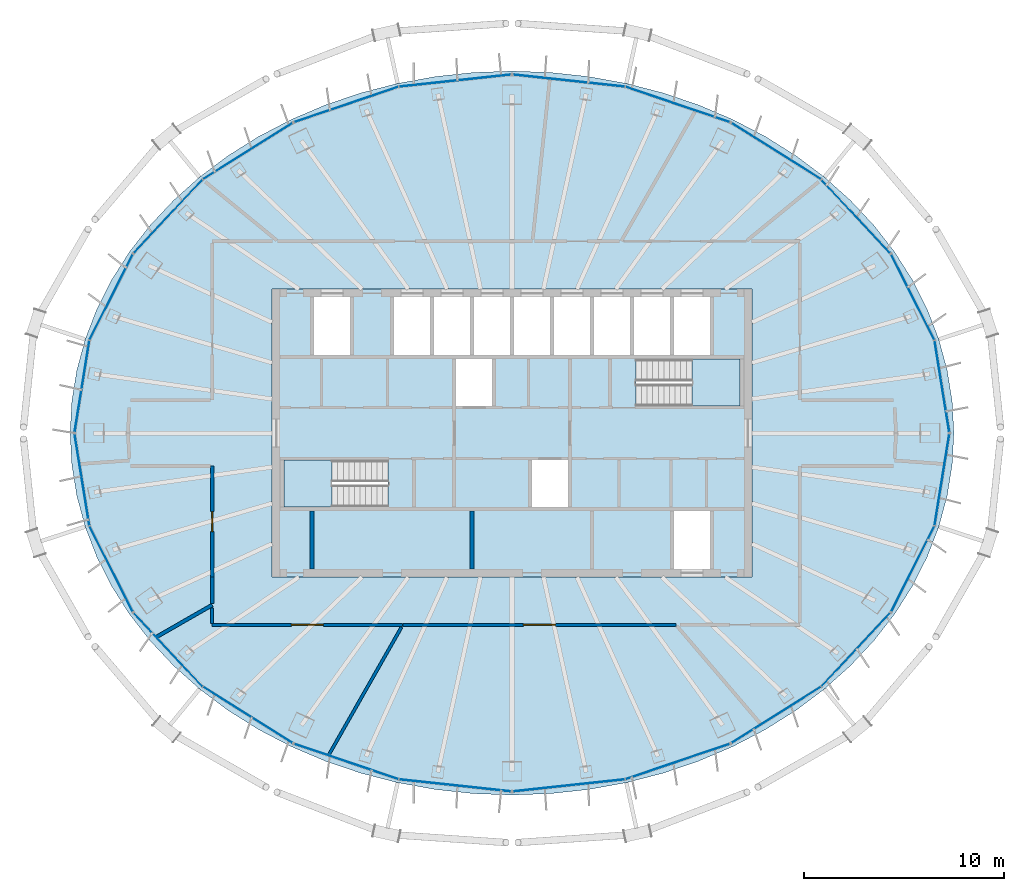
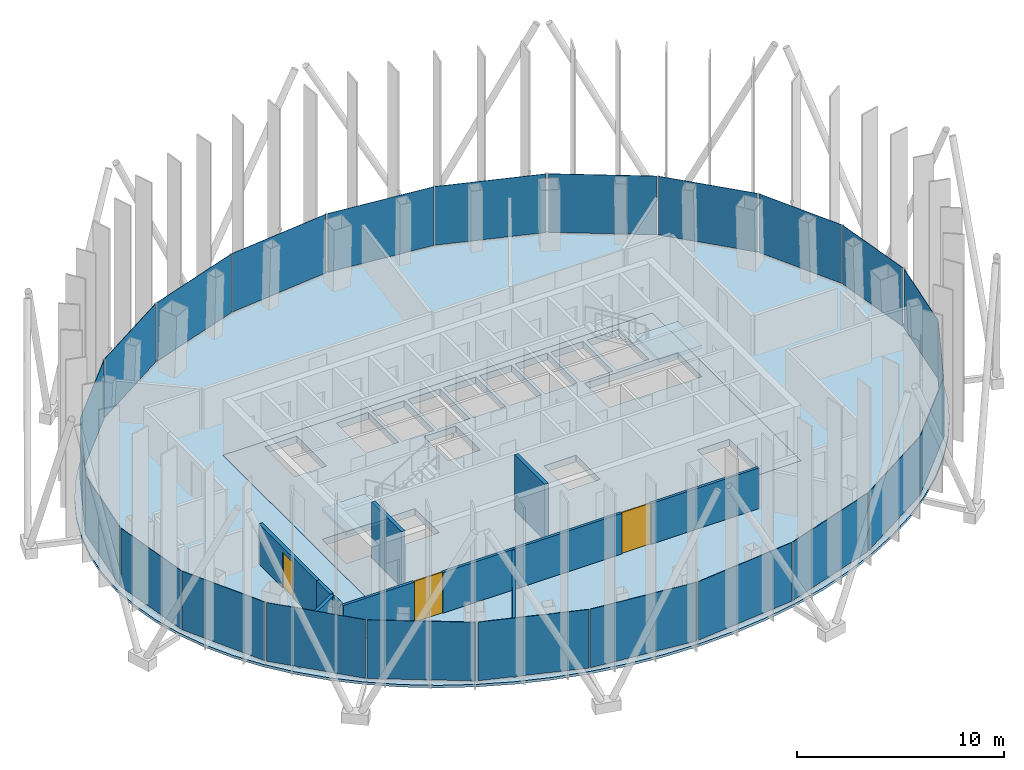
# One storey, part 9 of 19: 24 plates, 9 walls, 4 slabs, 3 doors, 3 openings, 14 elements without a shape of their own.
"""IFC4 building model written with IfcOpenShell, lengths in metres."""

from ifc_helpers import new_model, si_unit, direction, frame, frame_2d, origin, origin_2d, place, context, subcontext, project, spatial, polyline, rectangle, outline, extrude, material, layer, layer_set, type_object, element, fill, aggregate, save


model = new_model("IFC4")

# Units and contexts
model_context = context("Model", 3, precision=1e-05, world=origin(), true_north=direction((0.0, 1.0)))
body_context = subcontext(model_context, "Body", "Model", "MODEL_VIEW")
ifc_project = project(units=[si_unit("LENGTHUNIT", "METRE"), si_unit("AREAUNIT", "SQUARE_METRE"), si_unit("VOLUMEUNIT", "CUBIC_METRE"), si_unit("PLANEANGLEUNIT", "RADIAN"), si_unit("MASSUNIT", "GRAM", prefix="KILO")], contexts=[model_context])

# Site, building, storey
site_placement = place(None, origin())
site = spatial("IfcSite", under=ifc_project, at=site_placement, CompositionType="ELEMENT")
building_placement = place(site_placement, origin())
building = spatial("IfcBuilding", under=site, at=building_placement, Name="Siaravel Broadcast Tower", CompositionType="ELEMENT")
storey_placement = place(building_placement, frame((0.0, 0.0, 217.10009765625)))
storey = spatial("IfcBuildingStorey", under=building, at=storey_placement, Name="L52", CompositionType="ELEMENT", Elevation=217.10009765625)

# Curtain wall, plates
ifc_material_1 = material(Name="Aluminium 6063-T6", Category="aluminium")
ifc_layer_1 = layer(ifc_material_1, 0.159912109375)
ifc_layer_set_1 = layer_set([ifc_layer_1], Name="Aluminium 6063-T6")
curtain_wall_type = type_object("IfcCurtainWallType", Name="Unitised curtain wall, zone 4", PredefinedType="NOTDEFINED", material=ifc_layer_set_1)
curtain_wall_1_placement = place(storey_placement, origin())
curtain_wall_1 = element("IfcCurtainWall", 1, at=curtain_wall_1_placement, inside=storey, type_object=curtain_wall_type, Name="L52 Unitised curtain wall, zone 4 01", PredefinedType="NOTDEFINED")
ifc_material_2 = material(Name="Tinted insulated glass", Category="glass")
ifc_layer_2 = layer(ifc_material_2, 0.02587890625)
ifc_layer_set_2 = layer_set([ifc_layer_2], Name="Tinted insulated glass")
plate_type = type_object("IfcPlateType", Name="CW-Z4 glass panel", PredefinedType="CURTAIN_PANEL", material=ifc_layer_set_2)
plate_1_placement = place(storey_placement, frame((21.5107421875, 2.3359375, 0.08984375), z_axis=(0.0, 0.0, 1.0), x_axis=(-0.158684943, 0.987329271, 0.0)))
plate_1 = element("IfcPlate", 2, at=plate_1_placement, type_object=plate_type, Name="CW-Z4 glass panel", PredefinedType="CURTAIN_PANEL", context=body_context, shape_type="SweptSolid", body=[
    extrude(rectangle(XDim=4.6220703125, YDim=0.02587890625, at=origin_2d()), origin(), (0.0, 0.0, 1.0), 3.4599609375),
])
plate_2_placement = place(storey_placement, frame((20.0517578125, 6.796142578125, 0.08984375), z_axis=(0.0, 0.0, 1.0), x_axis=(-0.451259701, 0.892392673, 0.0)))
plate_2 = element("IfcPlate", 3, at=plate_2_placement, type_object=plate_type, Name="CW-Z4 glass panel", PredefinedType="CURTAIN_PANEL", context=body_context, shape_type="SweptSolid", body=[
    extrude(rectangle(XDim=4.766357421875, YDim=0.02587890625, at=origin_2d()), origin(), (0.0, 0.0, 1.0), 3.4599609375),
])
aggregate(curtain_wall_1, [plate_1, plate_2])

curtain_wall_2_placement = place(storey_placement, origin())
curtain_wall_2 = element("IfcCurtainWall", 4, at=curtain_wall_2_placement, inside=storey, type_object=curtain_wall_type, Name="L52 Unitised curtain wall, zone 4 02", PredefinedType="NOTDEFINED")
plate_3_placement = place(storey_placement, frame((17.202392578125, 10.839111328125, 0.08984375), z_axis=(0.0, 0.0, 1.0), x_axis=(-0.68365411, 0.729806178, 0.0)))
plate_3 = element("IfcPlate", 5, at=plate_3_placement, type_object=plate_type, Name="CW-Z4 glass panel", PredefinedType="CURTAIN_PANEL", context=body_context, shape_type="SweptSolid", body=[
    extrude(rectangle(XDim=5.0068359375, YDim=0.02587890625, at=origin_2d()), origin(), (0.0, 0.0, 1.0), 3.4599609375),
])
plate_4_placement = place(storey_placement, frame((13.217529296875, 14.103515625, 0.08984375), z_axis=(0.0, 0.0, 1.0), x_axis=(-0.84665001, 0.53215013, 0.0)))
plate_4 = element("IfcPlate", 6, at=plate_4_placement, type_object=plate_type, Name="CW-Z4 glass panel", PredefinedType="CURTAIN_PANEL", context=body_context, shape_type="SweptSolid", body=[
    extrude(rectangle(XDim=5.271240234375, YDim=0.02587890625, at=origin_2d()), origin(), (0.0, 0.0, 1.0), 3.4599609375),
])
aggregate(curtain_wall_2, [plate_3, plate_4])

curtain_wall_3_placement = place(storey_placement, origin())
curtain_wall_3 = element("IfcCurtainWall", 7, at=curtain_wall_3_placement, inside=storey, type_object=curtain_wall_type, Name="L52 Unitised curtain wall, zone 4 03", PredefinedType="NOTDEFINED")
plate_5_placement = place(storey_placement, frame((8.287841796875, 16.434814453125, 0.08984375), z_axis=(0.0, 0.0, 1.0), x_axis=(-0.946977039, 0.321301242, 0.0)))
plate_5 = element("IfcPlate", 8, at=plate_5_placement, type_object=plate_type, Name="CW-Z4 glass panel", PredefinedType="CURTAIN_PANEL", context=body_context, shape_type="SweptSolid", body=[
    extrude(rectangle(XDim=5.489990234375, YDim=0.02587890625, at=origin_2d()), origin(), (0.0, 0.0, 1.0), 3.4599609375),
])
plate_6_placement = place(storey_placement, frame((2.8447265625, 17.62939453125, 0.08984375), z_axis=(0.0, 0.0, 1.0), x_axis=(-0.994235568, 0.107217705, 0.0)))
plate_6 = element("IfcPlate", 9, at=plate_6_placement, type_object=plate_type, Name="CW-Z4 glass panel", PredefinedType="CURTAIN_PANEL", context=body_context, shape_type="SweptSolid", body=[
    extrude(rectangle(XDim=5.61279296875, YDim=0.02587890625, at=origin_2d()), origin(), (0.0, 0.0, 1.0), 3.4599609375),
])
aggregate(curtain_wall_3, [plate_5, plate_6])

curtain_wall_4_placement = place(storey_placement, origin())
curtain_wall_4 = element("IfcCurtainWall", 10, at=curtain_wall_4_placement, inside=storey, type_object=curtain_wall_type, Name="L52 Unitised curtain wall, zone 4 04", PredefinedType="NOTDEFINED")
plate_7_placement = place(storey_placement, frame((-2.8447265625, 17.62939453125, 0.08984375), z_axis=(0.0, 0.0, 1.0), x_axis=(-0.994235568, -0.107217705, 0.0)))
plate_7 = element("IfcPlate", 11, at=plate_7_placement, type_object=plate_type, Name="CW-Z4 glass panel", PredefinedType="CURTAIN_PANEL", context=body_context, shape_type="SweptSolid", body=[
    extrude(rectangle(XDim=5.61279296875, YDim=0.02587890625, at=origin_2d()), origin(), (0.0, 0.0, 1.0), 3.4599609375),
])
plate_8_placement = place(storey_placement, frame((-8.287841796875, 16.434814453125, 0.08984375), z_axis=(0.0, 0.0, 1.0), x_axis=(-0.946977039, -0.321301242, 0.0)))
plate_8 = element("IfcPlate", 12, at=plate_8_placement, type_object=plate_type, Name="CW-Z4 glass panel", PredefinedType="CURTAIN_PANEL", context=body_context, shape_type="SweptSolid", body=[
    extrude(rectangle(XDim=5.489990234375, YDim=0.02587890625, at=origin_2d()), origin(), (0.0, 0.0, 1.0), 3.4599609375),
])
aggregate(curtain_wall_4, [plate_7, plate_8])

curtain_wall_5_placement = place(storey_placement, origin())
curtain_wall_5 = element("IfcCurtainWall", 13, at=curtain_wall_5_placement, inside=storey, type_object=curtain_wall_type, Name="L52 Unitised curtain wall, zone 4 05", PredefinedType="NOTDEFINED")
plate_9_placement = place(storey_placement, frame((-13.217529296875, 14.103515625, 0.08984375), z_axis=(0.0, 0.0, 1.0), x_axis=(-0.84665001, -0.53215013, 0.0)))
plate_9 = element("IfcPlate", 14, at=plate_9_placement, type_object=plate_type, Name="CW-Z4 glass panel", PredefinedType="CURTAIN_PANEL", context=body_context, shape_type="SweptSolid", body=[
    extrude(rectangle(XDim=5.271240234375, YDim=0.02587890625, at=origin_2d()), origin(), (0.0, 0.0, 1.0), 3.4599609375),
])
plate_10_placement = place(storey_placement, frame((-17.202392578125, 10.839111328125, 0.08984375), z_axis=(0.0, 0.0, 1.0), x_axis=(-0.68365411, -0.729806178, 0.0)))
plate_10 = element("IfcPlate", 15, at=plate_10_placement, type_object=plate_type, Name="CW-Z4 glass panel", PredefinedType="CURTAIN_PANEL", context=body_context, shape_type="SweptSolid", body=[
    extrude(rectangle(XDim=5.0068359375, YDim=0.02587890625, at=origin_2d()), origin(), (0.0, 0.0, 1.0), 3.4599609375),
])
aggregate(curtain_wall_5, [plate_9, plate_10])

curtain_wall_6_placement = place(storey_placement, origin())
curtain_wall_6 = element("IfcCurtainWall", 16, at=curtain_wall_6_placement, inside=storey, type_object=curtain_wall_type, Name="L52 Unitised curtain wall, zone 4 06", PredefinedType="NOTDEFINED")
plate_11_placement = place(storey_placement, frame((-20.0517578125, 6.796142578125, 0.08984375), z_axis=(0.0, 0.0, 1.0), x_axis=(-0.451259701, -0.892392673, 0.0)))
plate_11 = element("IfcPlate", 17, at=plate_11_placement, type_object=plate_type, Name="CW-Z4 glass panel", PredefinedType="CURTAIN_PANEL", context=body_context, shape_type="SweptSolid", body=[
    extrude(rectangle(XDim=4.766357421875, YDim=0.02587890625, at=origin_2d()), origin(), (0.0, 0.0, 1.0), 3.4599609375),
])
plate_12_placement = place(storey_placement, frame((-21.5107421875, 2.3359375, 0.08984375), z_axis=(0.0, 0.0, 1.0), x_axis=(-0.158684943, -0.987329271, 0.0)))
plate_12 = element("IfcPlate", 18, at=plate_12_placement, type_object=plate_type, Name="CW-Z4 glass panel", PredefinedType="CURTAIN_PANEL", context=body_context, shape_type="SweptSolid", body=[
    extrude(rectangle(XDim=4.6220703125, YDim=0.02587890625, at=origin_2d()), origin(), (0.0, 0.0, 1.0), 3.4599609375),
])
aggregate(curtain_wall_6, [plate_11, plate_12])

curtain_wall_7_placement = place(storey_placement, origin())
curtain_wall_7 = element("IfcCurtainWall", 19, at=curtain_wall_7_placement, inside=storey, type_object=curtain_wall_type, Name="L52 Unitised curtain wall, zone 4 07", PredefinedType="NOTDEFINED")
plate_13_placement = place(storey_placement, frame((-21.5107421875, -2.3359375, 0.08984375), z_axis=(0.0, 0.0, 1.0), x_axis=(0.158684943, -0.987329271, 0.0)))
plate_13 = element("IfcPlate", 20, at=plate_13_placement, type_object=plate_type, Name="CW-Z4 glass panel", PredefinedType="CURTAIN_PANEL", context=body_context, shape_type="SweptSolid", body=[
    extrude(rectangle(XDim=4.6220703125, YDim=0.02587890625, at=origin_2d()), origin(), (0.0, 0.0, 1.0), 3.4599609375),
])
plate_14_placement = place(storey_placement, frame((-20.0517578125, -6.796142578125, 0.08984375), z_axis=(0.0, 0.0, 1.0), x_axis=(0.451259701, -0.892392673, 0.0)))
plate_14 = element("IfcPlate", 21, at=plate_14_placement, type_object=plate_type, Name="CW-Z4 glass panel", PredefinedType="CURTAIN_PANEL", context=body_context, shape_type="SweptSolid", body=[
    extrude(rectangle(XDim=4.766357421875, YDim=0.02587890625, at=origin_2d()), origin(), (0.0, 0.0, 1.0), 3.4599609375),
])
aggregate(curtain_wall_7, [plate_13, plate_14])

curtain_wall_8_placement = place(storey_placement, origin())
curtain_wall_8 = element("IfcCurtainWall", 22, at=curtain_wall_8_placement, inside=storey, type_object=curtain_wall_type, Name="L52 Unitised curtain wall, zone 4 08", PredefinedType="NOTDEFINED")
plate_15_placement = place(storey_placement, frame((-17.202392578125, -10.839111328125, 0.08984375), z_axis=(0.0, 0.0, 1.0), x_axis=(0.68365411, -0.729806178, 0.0)))
plate_15 = element("IfcPlate", 23, at=plate_15_placement, type_object=plate_type, Name="CW-Z4 glass panel", PredefinedType="CURTAIN_PANEL", context=body_context, shape_type="SweptSolid", body=[
    extrude(rectangle(XDim=5.0068359375, YDim=0.02587890625, at=origin_2d()), origin(), (0.0, 0.0, 1.0), 3.4599609375),
])
plate_16_placement = place(storey_placement, frame((-13.217529296875, -14.103515625, 0.08984375), z_axis=(0.0, 0.0, 1.0), x_axis=(0.84665001, -0.53215013, 0.0)))
plate_16 = element("IfcPlate", 24, at=plate_16_placement, type_object=plate_type, Name="CW-Z4 glass panel", PredefinedType="CURTAIN_PANEL", context=body_context, shape_type="SweptSolid", body=[
    extrude(rectangle(XDim=5.271240234375, YDim=0.02587890625, at=origin_2d()), origin(), (0.0, 0.0, 1.0), 3.4599609375),
])
aggregate(curtain_wall_8, [plate_15, plate_16])

curtain_wall_9_placement = place(storey_placement, origin())
curtain_wall_9 = element("IfcCurtainWall", 25, at=curtain_wall_9_placement, inside=storey, type_object=curtain_wall_type, Name="L52 Unitised curtain wall, zone 4 09", PredefinedType="NOTDEFINED")
plate_17_placement = place(storey_placement, frame((-8.287841796875, -16.434814453125, 0.08984375), z_axis=(0.0, 0.0, 1.0), x_axis=(0.946977039, -0.321301242, 0.0)))
plate_17 = element("IfcPlate", 26, at=plate_17_placement, type_object=plate_type, Name="CW-Z4 glass panel", PredefinedType="CURTAIN_PANEL", context=body_context, shape_type="SweptSolid", body=[
    extrude(rectangle(XDim=5.489990234375, YDim=0.02587890625, at=origin_2d()), origin(), (0.0, 0.0, 1.0), 3.4599609375),
])
plate_18_placement = place(storey_placement, frame((-2.8447265625, -17.62939453125, 0.08984375), z_axis=(0.0, 0.0, 1.0), x_axis=(0.994235568, -0.107217705, 0.0)))
plate_18 = element("IfcPlate", 27, at=plate_18_placement, type_object=plate_type, Name="CW-Z4 glass panel", PredefinedType="CURTAIN_PANEL", context=body_context, shape_type="SweptSolid", body=[
    extrude(rectangle(XDim=5.61279296875, YDim=0.02587890625, at=origin_2d()), origin(), (0.0, 0.0, 1.0), 3.4599609375),
])
aggregate(curtain_wall_9, [plate_17, plate_18])

curtain_wall_10_placement = place(storey_placement, origin())
curtain_wall_10 = element("IfcCurtainWall", 28, at=curtain_wall_10_placement, inside=storey, type_object=curtain_wall_type, Name="L52 Unitised curtain wall, zone 4 10", PredefinedType="NOTDEFINED")
plate_19_placement = place(storey_placement, frame((2.8447265625, -17.62939453125, 0.08984375), z_axis=(0.0, 0.0, 1.0), x_axis=(0.994235568, 0.107217705, 0.0)))
plate_19 = element("IfcPlate", 29, at=plate_19_placement, type_object=plate_type, Name="CW-Z4 glass panel", PredefinedType="CURTAIN_PANEL", context=body_context, shape_type="SweptSolid", body=[
    extrude(rectangle(XDim=5.61279296875, YDim=0.02587890625, at=origin_2d()), origin(), (0.0, 0.0, 1.0), 3.4599609375),
])
plate_20_placement = place(storey_placement, frame((8.287841796875, -16.434814453125, 0.08984375), z_axis=(0.0, 0.0, 1.0), x_axis=(0.946977039, 0.321301242, 0.0)))
plate_20 = element("IfcPlate", 30, at=plate_20_placement, type_object=plate_type, Name="CW-Z4 glass panel", PredefinedType="CURTAIN_PANEL", context=body_context, shape_type="SweptSolid", body=[
    extrude(rectangle(XDim=5.489990234375, YDim=0.02587890625, at=origin_2d()), origin(), (0.0, 0.0, 1.0), 3.4599609375),
])
aggregate(curtain_wall_10, [plate_19, plate_20])

curtain_wall_11_placement = place(storey_placement, origin())
curtain_wall_11 = element("IfcCurtainWall", 31, at=curtain_wall_11_placement, inside=storey, type_object=curtain_wall_type, Name="L52 Unitised curtain wall, zone 4 11", PredefinedType="NOTDEFINED")
plate_21_placement = place(storey_placement, frame((13.217529296875, -14.103515625, 0.08984375), z_axis=(0.0, 0.0, 1.0), x_axis=(0.84665001, 0.53215013, 0.0)))
plate_21 = element("IfcPlate", 32, at=plate_21_placement, type_object=plate_type, Name="CW-Z4 glass panel", PredefinedType="CURTAIN_PANEL", context=body_context, shape_type="SweptSolid", body=[
    extrude(rectangle(XDim=5.271240234375, YDim=0.02587890625, at=origin_2d()), origin(), (0.0, 0.0, 1.0), 3.4599609375),
])
plate_22_placement = place(storey_placement, frame((17.202392578125, -10.839111328125, 0.08984375), z_axis=(0.0, 0.0, 1.0), x_axis=(0.68365411, 0.729806178, 0.0)))
plate_22 = element("IfcPlate", 33, at=plate_22_placement, type_object=plate_type, Name="CW-Z4 glass panel", PredefinedType="CURTAIN_PANEL", context=body_context, shape_type="SweptSolid", body=[
    extrude(rectangle(XDim=5.0068359375, YDim=0.02587890625, at=origin_2d()), origin(), (0.0, 0.0, 1.0), 3.4599609375),
])
aggregate(curtain_wall_11, [plate_21, plate_22])

curtain_wall_12_placement = place(storey_placement, origin())
curtain_wall_12 = element("IfcCurtainWall", 34, at=curtain_wall_12_placement, inside=storey, type_object=curtain_wall_type, Name="L52 Unitised curtain wall, zone 4 12", PredefinedType="NOTDEFINED")
plate_23_placement = place(storey_placement, frame((20.0517578125, -6.796142578125, 0.08984375), z_axis=(0.0, 0.0, 1.0), x_axis=(0.451259701, 0.892392673, 0.0)))
plate_23 = element("IfcPlate", 35, at=plate_23_placement, type_object=plate_type, Name="CW-Z4 glass panel", PredefinedType="CURTAIN_PANEL", context=body_context, shape_type="SweptSolid", body=[
    extrude(rectangle(XDim=4.766357421875, YDim=0.02587890625, at=origin_2d()), origin(), (0.0, 0.0, 1.0), 3.4599609375),
])
plate_24_placement = place(storey_placement, frame((21.5107421875, -2.3359375, 0.08984375), z_axis=(0.0, 0.0, 1.0), x_axis=(0.158684943, 0.987329271, 0.0)))
plate_24 = element("IfcPlate", 36, at=plate_24_placement, type_object=plate_type, Name="CW-Z4 glass panel", PredefinedType="CURTAIN_PANEL", context=body_context, shape_type="SweptSolid", body=[
    extrude(rectangle(XDim=4.6220703125, YDim=0.02587890625, at=origin_2d()), origin(), (0.0, 0.0, 1.0), 3.4599609375),
])
aggregate(curtain_wall_12, [plate_23, plate_24])

# Slabs
ifc_material_3 = material(Name="Concrete C40/50", Category="concrete")
ifc_layer_3 = layer(ifc_material_3, 0.39990234375)
ifc_layer_set_3 = layer_set([ifc_layer_3], Name="Concrete C40/50")
slab_type_1 = type_object("IfcSlabType", Name="Core floor slab 400", PredefinedType="FLOOR", material=ifc_layer_set_3)
slab_1_placement = place(storey_placement, frame((0.0, 0.0, -0.400146484375)))
element("IfcSlab", 37, at=slab_1_placement, inside=storey, type_object=slab_type_1, Name="L52 core floor", PredefinedType="FLOOR", context=body_context, shape_type="SweptSolid", body=[
    extrude(outline(polyline([(-12.0, -7.199951171875), (-12.0, 7.199951171875), (12.0, 7.199951171875), (12.0, -7.199951171875), (-12.0, -7.199951171875)]), holes=[polyline([(11.3994140625, 1.3505859375), (11.3994140625, 3.699462890625), (6.200439453125, 3.699462890625), (6.200439453125, 1.3505859375), (11.3994140625, 1.3505859375)]), polyline([(8.10009765625, -3.89990234375), (8.10009765625, -6.800048828125), (9.89990234375, -6.800048828125), (9.89990234375, -3.89990234375), (8.10009765625, -3.89990234375)]), polyline([(9.89990234375, 6.800048828125), (8.10009765625, 6.800048828125), (8.10009765625, 3.89990234375), (9.89990234375, 3.89990234375), (9.89990234375, 6.800048828125)]), polyline([(7.89990234375, 6.800048828125), (6.10009765625, 6.800048828125), (6.10009765625, 3.89990234375), (7.89990234375, 3.89990234375), (7.89990234375, 6.800048828125)]), polyline([(5.89990234375, 6.800048828125), (4.10009765625, 6.800048828125), (4.10009765625, 3.89990234375), (5.89990234375, 3.89990234375), (5.89990234375, 6.800048828125)]), polyline([(3.89990234375, 6.800048828125), (2.10009765625, 6.800048828125), (2.10009765625, 3.89990234375), (3.89990234375, 3.89990234375), (3.89990234375, 6.800048828125)]), polyline([(2.800048828125, -1.35009765625), (1.0, -1.35009765625), (1.0, -3.699951171875), (2.800048828125, -3.699951171875), (2.800048828125, -1.35009765625)]), polyline([(1.89990234375, 6.800048828125), (0.10009765625, 6.800048828125), (0.10009765625, 3.89990234375), (1.89990234375, 3.89990234375), (1.89990234375, 6.800048828125)]), polyline([(-0.10009765625, 6.800048828125), (-1.89990234375, 6.800048828125), (-1.89990234375, 3.89990234375), (-0.10009765625, 3.89990234375), (-0.10009765625, 6.800048828125)]), polyline([(-1.0, 3.699951171875), (-2.800048828125, 3.699951171875), (-2.800048828125, 1.35009765625), (-1.0, 1.35009765625), (-1.0, 3.699951171875)]), polyline([(-2.10009765625, 6.800048828125), (-3.89990234375, 6.800048828125), (-3.89990234375, 3.89990234375), (-2.10009765625, 3.89990234375), (-2.10009765625, 6.800048828125)]), polyline([(-4.10009765625, 6.800048828125), (-5.89990234375, 6.800048828125), (-5.89990234375, 3.89990234375), (-4.10009765625, 3.89990234375), (-4.10009765625, 6.800048828125)]), polyline([(-11.3994140625, -3.699462890625), (-6.200439453125, -3.699462890625), (-6.200439453125, -1.3505859375), (-11.3994140625, -1.3505859375), (-11.3994140625, -3.699462890625)]), polyline([(-8.10009765625, 6.800048828125), (-9.89990234375, 6.800048828125), (-9.89990234375, 3.89990234375), (-8.10009765625, 3.89990234375), (-8.10009765625, 6.800048828125)])]), origin(), (0.0, 0.0, 1.0), 0.400146484375),
])
ifc_layer_4 = layer(ifc_material_3, 0.14990234375)
ifc_layer_set_4 = layer_set([ifc_layer_4], Name="Concrete C40/50")
slab_type_2 = type_object("IfcSlabType", Name="SLB-FLOOR-150", PredefinedType="FLOOR", material=ifc_layer_set_4)
slab_2_placement = place(storey_placement, frame((0.0, 0.0, -0.150146484375)))
element("IfcSlab", 38, at=slab_2_placement, inside=storey, type_object=slab_type_2, Name="Floor slab", PredefinedType="FLOOR", context=body_context, shape_type="SweptSolid", body=[
    extrude(outline(polyline([(22.106201171875, 0.0), (22.022216796875, 1.578125), (21.7705078125, 3.144287109375), (21.352783203125, 4.6865234375), (20.77294921875, 6.193115234375), (20.034912109375, 7.652587890625), (19.14453125, 9.0537109375), (18.1083984375, 10.385986328125), (16.934326171875, 11.63916015625), (15.63134765625, 12.803955078125), (14.209716796875, 13.87109375), (12.6796875, 14.832763671875), (11.052978515625, 15.681396484375), (9.342529296875, 16.410888671875), (7.560791015625, 17.015380859375), (5.721435546875, 17.490478515625), (3.838623046875, 17.832275390625), (1.9267578125, 18.03857421875), (0.0, 18.107421875), (-1.9267578125, 18.03857421875), (-3.838623046875, 17.832275390625), (-5.721435546875, 17.490478515625), (-7.560791015625, 17.015380859375), (-9.342529296875, 16.410888671875), (-11.052978515625, 15.681396484375), (-12.6796875, 14.832763671875), (-14.209716796875, 13.87109375), (-15.63134765625, 12.803955078125), (-16.934326171875, 11.63916015625), (-18.1083984375, 10.385986328125), (-19.14453125, 9.0537109375), (-20.034912109375, 7.652587890625), (-20.77294921875, 6.193115234375), (-21.352783203125, 4.6865234375), (-21.7705078125, 3.144287109375), (-22.022216796875, 1.578125), (-22.106201171875, 0.0), (-22.022216796875, -1.578125), (-21.7705078125, -3.144287109375), (-21.352783203125, -4.6865234375), (-20.77294921875, -6.193115234375), (-20.034912109375, -7.652587890625), (-19.14453125, -9.0537109375), (-18.1083984375, -10.385986328125), (-16.934326171875, -11.63916015625), (-15.63134765625, -12.803955078125), (-14.209716796875, -13.87109375), (-12.6796875, -14.832763671875), (-11.052978515625, -15.681396484375), (-9.342529296875, -16.410888671875), (-7.560791015625, -17.015380859375), (-5.721435546875, -17.490478515625), (-3.838623046875, -17.832275390625), (-1.9267578125, -18.03857421875), (0.0, -18.107421875), (1.9267578125, -18.03857421875), (3.838623046875, -17.832275390625), (5.721435546875, -17.490478515625), (7.560791015625, -17.015380859375), (9.342529296875, -16.410888671875), (11.052978515625, -15.681396484375), (12.6796875, -14.832763671875), (14.209716796875, -13.87109375), (15.63134765625, -12.803955078125), (16.934326171875, -11.63916015625), (18.1083984375, -10.385986328125), (19.14453125, -9.0537109375), (20.034912109375, -7.652587890625), (20.77294921875, -6.193115234375), (21.352783203125, -4.6865234375), (21.7705078125, -3.144287109375), (22.022216796875, -1.578125), (22.106201171875, 0.0)]), holes=[polyline([(-12.0, 7.199951171875), (12.0, 7.199951171875), (12.0, -7.199951171875), (-12.0, -7.199951171875), (-12.0, 7.199951171875)])]), origin(), (0.0, 0.0, 1.0), 0.150146484375),
])

# Stair, slab
stair_type = type_object("IfcStairType", Name="Core exit stair", PredefinedType="HALF_TURN_STAIR", material=ifc_material_3)
stair_1_placement = place(storey_placement, origin())
stair_1 = element("IfcStair", 39, at=stair_1_placement, inside=storey, type_object=stair_type, Name="L52 Exit stair ST-1", PredefinedType="HALF_TURN_STAIR")
ifc_layer_5 = layer(ifc_material_3, 0.199951171875)
ifc_layer_set_5 = layer_set([ifc_layer_5], Name="Concrete C40/50")
slab_type_3 = type_object("IfcSlabType", Name="Stair landing", PredefinedType="LANDING", material=ifc_layer_set_5)
slab_3_placement = place(storey_placement, frame((0.0, 0.0, 1.64990234375)))
slab_3 = element("IfcSlab", 40, at=slab_3_placement, type_object=slab_type_3, Name="ST-1 landing 1", PredefinedType="LANDING", context=body_context, shape_type="SweptSolid", body=[
    extrude(outline(polyline([(-9.0, -1.35009765625), (-11.39990234375, -1.35009765625), (-11.39990234375, -3.699951171875), (-9.0, -3.699951171875), (-9.0, -1.35009765625)])), origin(), (0.0, 0.0, 1.0), 0.199951171875),
])
aggregate(stair_1, [slab_3])

stair_2_placement = place(storey_placement, origin())
stair_2 = element("IfcStair", 41, at=stair_2_placement, inside=storey, type_object=stair_type, Name="L52 Exit stair ST-2", PredefinedType="HALF_TURN_STAIR")
slab_4_placement = place(storey_placement, frame((0.0, 0.0, 1.64990234375)))
slab_4 = element("IfcSlab", 42, at=slab_4_placement, type_object=slab_type_3, Name="ST-2 landing 1", PredefinedType="LANDING", context=body_context, shape_type="SweptSolid", body=[
    extrude(outline(polyline([(9.0, 1.35009765625), (11.39990234375, 1.35009765625), (11.39990234375, 3.699951171875), (9.0, 3.699951171875), (9.0, 1.35009765625)])), origin(), (0.0, 0.0, 1.0), 0.199951171875),
])
aggregate(stair_2, [slab_4])

# Wall
ifc_material_4 = material(Name="Concrete blockwork", Category="masonry")
ifc_layer_6 = layer(ifc_material_4, 0.199951171875)
ifc_layer_set_6 = layer_set([ifc_layer_6], Name="Concrete blockwork")
wall_type_1 = type_object("IfcWallType", Name="Core partition 200", PredefinedType="PARTITIONING", material=ifc_layer_set_6)
wall_1_placement = place(storey_placement, frame((-2.0, -6.800048828125, 0.0), z_axis=(0.0, 0.0, 1.0), x_axis=(0.0, 1.0, 0.0)))
element("IfcWall", 43, at=wall_1_placement, inside=storey, type_object=wall_type_1, Name="L52 core partition PFS0", PredefinedType="PARTITIONING", context=body_context, shape_type="SweptSolid", body=[
    extrude(rectangle(XDim=2.900146484375, YDim=0.199951171875, at=frame_2d((1.4501953125, 0.0))), origin(), (0.0, 0.0, 1.0), 3.2998046875),
])

# Wall, opening, door
ifc_material_5 = material(Name="Gypsum board partition", Category="gypsum")
ifc_layer_7 = layer(ifc_material_5, 0.14990234375)
ifc_layer_set_7 = layer_set([ifc_layer_7], Name="Gypsum board partition")
wall_type_2 = type_object("IfcWallType", Name="Corridor wall 150", PredefinedType="PARTITIONING", material=ifc_layer_set_7)
wall_2_placement = place(storey_placement, frame((-5.465087890625, -9.60009765625, 0.0), z_axis=(0.0, 0.0, 1.0), x_axis=(1.0, 0.0, 0.0)))
wall_2 = element("IfcWall", 44, at=wall_2_placement, inside=storey, type_object=wall_type_2, Name="L52 partition 1", PredefinedType="PARTITIONING", context=body_context, shape_type="SweptSolid", body=[
    extrude(rectangle(XDim=13.67138671875, YDim=0.14990234375, at=frame_2d((6.835693359375, 0.0))), origin(), (0.0, 0.0, 1.0), 2.39990234375),
])
opening_1_placement = place(wall_2_placement, frame((6.035888671875, 0.0, 0.0)))
opening_1 = element("IfcOpeningElement", 45, at=opening_1_placement, cuts=wall_2, Name="Opening L52-001", PredefinedType="OPENING", context=body_context, shape_type="SweptSolid", body=[
    extrude(rectangle(XDim=1.60009765625, YDim=2.39990234375, at=frame_2d((0.800048828125, 1.199951171875))), frame((0.0, 0.0849609375, 0.0), z_axis=(0.0, -1.0, 0.0), x_axis=(1.0, 0.0, 0.0)), (0.0, 0.0, 1.0), 0.169921875),
])
ifc_material_6 = material(Name="Timber veneer", Category="wood")
door_type_1 = type_object("IfcDoorType", Name="Restaurant double door 1600", OperationType="DOUBLE_DOOR_SINGLE_SWING", PredefinedType="DOOR", material=ifc_material_6)
door_1_placement = place(opening_1_placement, origin())
door_1 = element("IfcDoor", 46, at=door_1_placement, inside=storey, type_object=door_type_1, Name="L52 door to Restaurant", OperationType="DOUBLE_DOOR_SINGLE_SWING", OverallHeight=2.39990234375, OverallWidth=1.60009765625, PredefinedType="DOOR", context=body_context, shape_type="SweptSolid", body=[
    extrude(rectangle(XDim=1.60009765625, YDim=2.39990234375, at=frame_2d((0.800048828125, 1.199951171875))), frame((0.0, 0.02490234375, 0.0), z_axis=(0.0, -1.0, 0.0), x_axis=(1.0, 0.0, 0.0)), (0.0, 0.0, 1.0), 0.050048828125),
])
fill(opening_1, door_1)

wall_3_placement = place(storey_placement, frame((-15.0, -9.60009765625, 0.0), z_axis=(0.0, 0.0, 1.0), x_axis=(1.0, 0.0, 0.0)))
wall_3 = element("IfcWall", 47, at=wall_3_placement, inside=storey, type_object=wall_type_2, Name="L52 partition 3", PredefinedType="PARTITIONING", context=body_context, shape_type="SweptSolid", body=[
    extrude(rectangle(XDim=9.533935546875, YDim=0.14990234375, at=frame_2d((4.76708984375, 0.0))), origin(), (0.0, 0.0, 1.0), 2.39990234375),
])
opening_2_placement = place(wall_3_placement, frame((3.966796875, 0.0, 0.0)))
opening_2 = element("IfcOpeningElement", 48, at=opening_2_placement, cuts=wall_3, Name="Opening L52-009", PredefinedType="OPENING", context=body_context, shape_type="SweptSolid", body=[
    extrude(rectangle(XDim=1.60009765625, YDim=2.39990234375, at=frame_2d((0.800048828125, 1.199951171875))), frame((0.0, 0.0849609375, 0.0), z_axis=(0.0, -1.0, 0.0), x_axis=(1.0, 0.0, 0.0)), (0.0, 0.0, 1.0), 0.169921875),
])
door_2_placement = place(opening_2_placement, origin())
door_2 = element("IfcDoor", 49, at=door_2_placement, inside=storey, type_object=door_type_1, Name="L52 door to Lounge", OperationType="DOUBLE_DOOR_SINGLE_SWING", OverallHeight=2.39990234375, OverallWidth=1.60009765625, PredefinedType="DOOR", context=body_context, shape_type="SweptSolid", body=[
    extrude(rectangle(XDim=1.60009765625, YDim=2.39990234375, at=frame_2d((0.800048828125, 1.199951171875))), frame((0.0, 0.02490234375, 0.0), z_axis=(0.0, -1.0, 0.0), x_axis=(1.0, 0.0, 0.0)), (0.0, 0.0, 1.0), 0.050048828125),
])
fill(opening_2, door_2)

# Walls
wall_4_placement = place(storey_placement, frame((-15.0, -8.751953125, 0.0), z_axis=(0.0, 0.0, 1.0), x_axis=(0.0, -1.0, 0.0)))
element("IfcWall", 50, at=wall_4_placement, inside=storey, type_object=wall_type_2, Name="L52 partition 34", PredefinedType="PARTITIONING", context=body_context, shape_type="SweptSolid", body=[
    extrude(rectangle(XDim=0.77099609375, YDim=0.14990234375, at=frame_2d((0.385498046875, 0.0))), origin(), (0.0, 0.0, 1.0), 2.39990234375),
])
ifc_layer_8 = layer(ifc_material_5, 0.14990234375)
ifc_layer_set_8 = layer_set([ifc_layer_8], Name="Gypsum board partition")
wall_type_3 = type_object("IfcWallType", Name="Room partition 150", PredefinedType="PARTITIONING", material=ifc_layer_set_8)
wall_5_placement = place(storey_placement, frame((-5.52978515625, -9.7138671875, 0.0), z_axis=(0.0, 0.0, 1.0), x_axis=(-0.494747754, -0.869036628, 0.0)))
element("IfcWall", 51, at=wall_5_placement, inside=storey, type_object=wall_type_3, Name="L52 partition 5", PredefinedType="PARTITIONING", context=body_context, shape_type="SweptSolid", body=[
    extrude(rectangle(XDim=7.35498046875, YDim=0.14990234375, at=frame_2d((3.677490234375, 0.0))), origin(), (0.0, 0.0, 1.0), 2.39990234375),
])

# Wall, opening, door
ifc_layer_9 = layer(ifc_material_4, 0.179931640625)
ifc_layer_set_9 = layer_set([ifc_layer_9], Name="Concrete blockwork")
wall_type_4 = type_object("IfcWallType", Name="Service room fire partition 180", PredefinedType="PARTITIONING", material=ifc_layer_set_9)
wall_6_placement = place(storey_placement, frame((-15.0, -1.64990234375, 0.0), z_axis=(0.0, 0.0, 1.0), x_axis=(0.0, -1.0, 0.0)))
wall_6 = element("IfcWall", 52, at=wall_6_placement, inside=storey, type_object=wall_type_4, Name="L52 partition 10", PredefinedType="PARTITIONING", context=body_context, shape_type="SweptSolid", body=[
    extrude(rectangle(XDim=5.56201171875, YDim=0.179931640625, at=frame_2d((2.781005859375, 0.0))), origin(), (0.0, 0.0, 1.0), 2.39990234375),
])
opening_3_placement = place(wall_6_placement, frame((2.281005859375, 0.0, 0.0)))
opening_3 = element("IfcOpeningElement", 53, at=opening_3_placement, cuts=wall_6, Name="Opening L52-008", PredefinedType="OPENING", context=body_context, shape_type="SweptSolid", body=[
    extrude(rectangle(XDim=1.0, YDim=2.10009765625, at=frame_2d((0.5, 1.050048828125))), frame((0.0, 0.099853515625, 0.0), z_axis=(0.0, -1.0, 0.0), x_axis=(1.0, 0.0, 0.0)), (0.0, 0.0, 1.0), 0.199951171875),
])
ifc_material_7 = material(Name="Steel", Category="steel")
door_type_2 = type_object("IfcDoorType", Name="Service room door 1000", OperationType="SINGLE_SWING_LEFT", PredefinedType="DOOR", material=ifc_material_7)
door_3_placement = place(opening_3_placement, origin())
door_3 = element("IfcDoor", 54, at=door_3_placement, inside=storey, type_object=door_type_2, Name="L52 door to Library", OperationType="SINGLE_SWING_RIGHT", OverallHeight=2.10009765625, OverallWidth=1.0, PredefinedType="DOOR", context=body_context, shape_type="SweptSolid", body=[
    extrude(rectangle(XDim=1.0, YDim=2.10009765625, at=frame_2d((0.5, 1.050048828125))), frame((0.0, 0.02490234375, 0.0), z_axis=(0.0, -1.0, 0.0), x_axis=(1.0, 0.0, 0.0)), (0.0, 0.0, 1.0), 0.050048828125),
])
fill(opening_3, door_3)

# Walls
wall_7_placement = place(storey_placement, frame((-17.7802734375, -10.197998046875, 0.0), z_axis=(0.0, 0.0, 1.0), x_axis=(0.867435755, 0.497549205, 0.0)))
element("IfcWall", 55, at=wall_7_placement, inside=storey, type_object=wall_type_4, Name="L52 partition 22", PredefinedType="PARTITIONING", context=body_context, shape_type="SweptSolid", body=[
    extrude(rectangle(XDim=3.205078125, YDim=0.179931640625, at=frame_2d((1.6025390625, 0.0))), origin(), (0.0, 0.0, 1.0), 2.39990234375),
])
wall_8_placement = place(storey_placement, frame((-15.0, -7.212890625, 0.0), z_axis=(0.0, 0.0, 1.0), x_axis=(0.0, -1.0, 0.0)))
element("IfcWall", 56, at=wall_8_placement, inside=storey, type_object=wall_type_4, Name="L52 partition 29", PredefinedType="PARTITIONING", context=body_context, shape_type="SweptSolid", body=[
    extrude(rectangle(XDim=1.310302734375, YDim=0.179931640625, at=frame_2d((0.6552734375, 0.0))), origin(), (0.0, 0.0, 1.0), 2.39990234375),
])
ifc_material_8 = material(Name="Concrete C60/75", Category="concrete")
ifc_layer_10 = layer(ifc_material_8, 0.199951171875)
ifc_layer_set_10 = layer_set([ifc_layer_10], Name="Concrete C60/75")
wall_type_5 = type_object("IfcWallType", Name="Shaft wall 200", PredefinedType="SHEAR", material=ifc_layer_set_10)
wall_9_placement = place(storey_placement, frame((-10.0, -6.800048828125, 0.0), z_axis=(0.0, 0.0, 1.0), x_axis=(0.0, 1.0, 0.0)))
element("IfcWall", 57, at=wall_9_placement, inside=storey, type_object=wall_type_5, Name="L52 core wall SWS0", PredefinedType="SHEAR", context=body_context, shape_type="SweptSolid", body=[
    extrude(rectangle(XDim=2.900146484375, YDim=0.199951171875, at=frame_2d((1.4501953125, 0.0))), origin(), (0.0, 0.0, 1.0), 3.2998046875),
])

save(model, "model.ifc")
